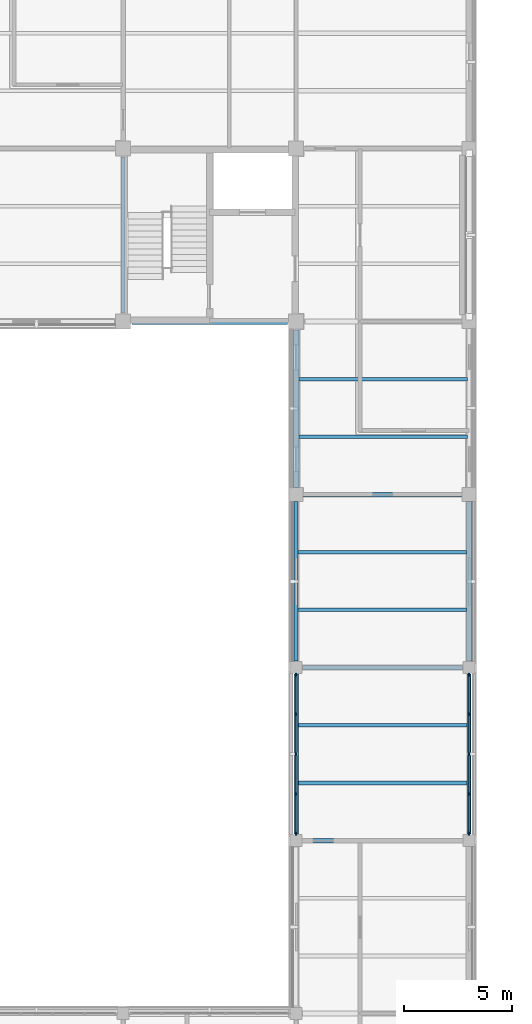
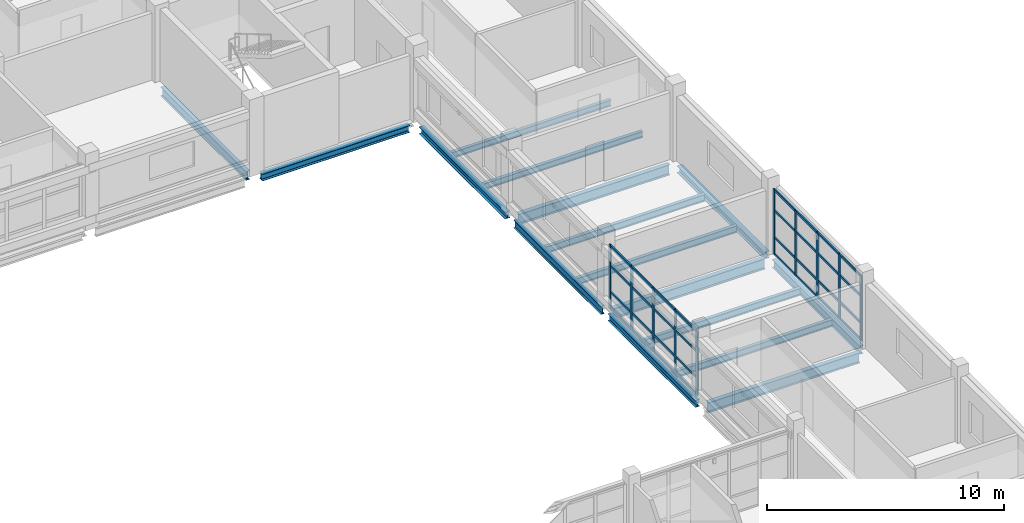
# One storey, part 50 of 107: 42 members, 16 beams, 2 elements without a shape of their own.
"""IFC4 building model written with IfcOpenShell, lengths in metres."""

from ifc_helpers import new_model, si_unit, derived_unit, direction, frame, origin, origin_2d, place, context, subcontext, project, spatial, rectangle, i_section, extrude, material, layer, layer_set, material_profile, profile_set, type_object, element, aggregate, save


model = new_model("IFC4")

# Units and contexts
model_context = context("Model", 3, precision=1e-05, world=origin(), true_north=direction((0.0, 1.0)))
body_context = subcontext(model_context, "Body", "Model", "MODEL_VIEW")
ifc_project = project(units=[si_unit("LENGTHUNIT", "METRE"), si_unit("AREAUNIT", "SQUARE_METRE"), si_unit("VOLUMEUNIT", "CUBIC_METRE"), si_unit("PLANEANGLEUNIT", "RADIAN"), si_unit("MASSUNIT", "GRAM", prefix="KILO"), derived_unit("THERMALTRANSMITTANCEUNIT", [(si_unit("MASSUNIT", "GRAM", prefix="KILO"), 1), (si_unit("TIMEUNIT", "SECOND"), -3), (si_unit("THERMODYNAMICTEMPERATUREUNIT", "KELVIN"), -1)])], contexts=[model_context])

# Site, building, storey
site_placement = place(None, origin())
site = spatial("IfcSite", under=ifc_project, at=site_placement, CompositionType="ELEMENT")
building_placement = place(site_placement, origin())
building = spatial("IfcBuilding", under=site, at=building_placement, Name="Veyamyaing Civic Hall", CompositionType="ELEMENT")
storey_placement = place(building_placement, frame((0.0, 0.0, 13.860107421875)))
storey = spatial("IfcBuildingStorey", under=building, at=storey_placement, Name="L03", CompositionType="ELEMENT", Elevation=13.860107421875)

# Beams
ifc_material_1 = material(Name="Steel ASTM A992", Category="steel")
ifc_material_profile_1 = material_profile(ifc_material_1, i_section(OverallWidth=0.208984375, OverallDepth=0.532958984375, WebThickness=0.01025390625, FlangeThickness=0.015625, FilletRadius=0.011962890625, at=origin_2d()), Name="W530X92")
ifc_profile_set_1 = profile_set([ifc_material_profile_1], Name="Steel ASTM A992")
beam_type_1 = type_object("IfcBeamType", Name="B-07", PredefinedType="BEAM", material=ifc_profile_set_1)
beam_1_placement = place(storey_placement, frame((168.300048828125, 64.0, -0.521728515625), z_axis=(1.0, 0.0, 0.0), x_axis=(0.0, 1.0, 0.0)))
element("IfcBeam", 1, at=beam_1_placement, inside=storey, type_object=beam_type_1, Name="Girder B-07 L03 Grid J 22-23", PredefinedType="BEAM", context=body_context, shape_type="SweptSolid", body=[
    extrude(i_section(OverallWidth=0.208984375, OverallDepth=0.532958984375, WebThickness=0.01025390625, FlangeThickness=0.015625, FilletRadius=0.011962890625, at=origin_2d()), origin(), (0.0, 0.0, 1.0), 7.39990234375),
])
ifc_material_profile_2 = material_profile(ifc_material_1, i_section(OverallWidth=0.2041015625, OverallDepth=0.35009765625, WebThickness=0.0078125, FlangeThickness=0.01513671875, FilletRadius=0.010009765625, at=origin_2d()), Name="W360X72")
ifc_profile_set_2 = profile_set([ifc_material_profile_2], Name="Steel ASTM A992")
beam_type_2 = type_object("IfcBeamType", Name="B-11", PredefinedType="SPANDREL", material=ifc_profile_set_2)
beam_2_placement = place(storey_placement, frame((168.0, 64.300048828125, -0.43017578125), z_axis=(0.0, 1.0, 0.0), x_axis=(-1.0, 0.0, 0.0)))
element("IfcBeam", 2, at=beam_2_placement, inside=storey, type_object=beam_type_2, Name="Girder B-11 L03 Grid 22 J-K", PredefinedType="SPANDREL", context=body_context, shape_type="SweptSolid", body=[
    extrude(i_section(OverallWidth=0.2041015625, OverallDepth=0.35009765625, WebThickness=0.0078125, FlangeThickness=0.01513671875, FilletRadius=0.010009765625, at=origin_2d()), origin(), (0.0, 0.0, 1.0), 7.39990234375),
])
ifc_material_profile_3 = material_profile(ifc_material_1, i_section(OverallWidth=0.214111328125, OverallDepth=0.549072265625, WebThickness=0.0146484375, FlangeThickness=0.023681640625, FilletRadius=0.011962890625, at=origin_2d()), Name="W530X138")
ifc_profile_set_3 = profile_set([ifc_material_profile_3], Name="Steel ASTM A992")
beam_type_3 = type_object("IfcBeamType", Name="B-16", PredefinedType="BEAM", material=ifc_profile_set_3)
beam_3_placement = place(storey_placement, frame((168.300048828125, 72.0, -0.529541015625), z_axis=(1.0, 0.0, 0.0), x_axis=(0.0, 1.0, 0.0)))
element("IfcBeam", 3, at=beam_3_placement, inside=storey, type_object=beam_type_3, Name="Girder B-16 L03 Grid K 22-23", PredefinedType="BEAM", context=body_context, shape_type="SweptSolid", body=[
    extrude(i_section(OverallWidth=0.214111328125, OverallDepth=0.549072265625, WebThickness=0.0146484375, FlangeThickness=0.023681640625, FilletRadius=0.011962890625, at=origin_2d()), origin(), (0.0, 0.0, 1.0), 7.39990234375),
])
ifc_material_profile_4 = material_profile(ifc_material_1, i_section(OverallWidth=0.2109375, OverallDepth=0.5390625, WebThickness=0.01171875, FlangeThickness=0.018798828125, FilletRadius=0.011962890625, at=origin_2d()), Name="W530X109")
ifc_profile_set_4 = profile_set([ifc_material_profile_4], Name="Steel ASTM A992")
beam_type_4 = type_object("IfcBeamType", Name="B-17", PredefinedType="BEAM", material=ifc_profile_set_4)
beam_4_placement = place(storey_placement, frame((168.324951171875, 80.0, -0.524658203125), z_axis=(1.0, 0.0, 0.0), x_axis=(0.0, 1.0, 0.0)))
element("IfcBeam", 4, at=beam_4_placement, inside=storey, type_object=beam_type_4, Name="Girder B-17 L03 Grid L 22-23", PredefinedType="BEAM", context=body_context, shape_type="SweptSolid", body=[
    extrude(i_section(OverallWidth=0.2109375, OverallDepth=0.5390625, WebThickness=0.01171875, FlangeThickness=0.018798828125, FilletRadius=0.011962890625, at=origin_2d()), origin(), (0.0, 0.0, 1.0), 7.35009765625),
])
ifc_material_profile_5 = material_profile(ifc_material_1, i_section(OverallWidth=0.194091796875, OverallDepth=0.468994140625, WebThickness=0.0126953125, FlangeThickness=0.0205078125, FilletRadius=0.010009765625, at=origin_2d()), Name="W460X106")
ifc_profile_set_5 = profile_set([ifc_material_profile_5], Name="Steel ASTM A992")
beam_type_5 = type_object("IfcBeamType", Name="B-18", PredefinedType="BEAM", material=ifc_profile_set_5)
beam_5_placement = place(storey_placement, frame((160.0, 88.39990234375, -0.489501953125), z_axis=(0.0, 1.0, 0.0), x_axis=(-1.0, 0.0, 0.0)))
element("IfcBeam", 5, at=beam_5_placement, inside=storey, type_object=beam_type_5, Name="Girder B-18 L03 Grid 21 M-N", PredefinedType="BEAM", context=body_context, shape_type="SweptSolid", body=[
    extrude(i_section(OverallWidth=0.194091796875, OverallDepth=0.468994140625, WebThickness=0.0126953125, FlangeThickness=0.0205078125, FilletRadius=0.010009765625, at=origin_2d()), origin(), (0.0, 0.0, 1.0), 7.2001953125),
])
ifc_material_profile_6 = material_profile(ifc_material_1, i_section(OverallWidth=0.180908203125, OverallDepth=0.4169921875, WebThickness=0.010986328125, FlangeThickness=0.018310546875, FilletRadius=0.010009765625, at=origin_2d()), Name="W410X85")
ifc_profile_set_6 = profile_set([ifc_material_profile_6], Name="Steel ASTM A992")
beam_type_6 = type_object("IfcBeamType", Name="B-19", PredefinedType="SPANDREL", material=ifc_profile_set_6)
beam_6_placement = place(storey_placement, frame((168.0, 72.300048828125, -0.463623046875), z_axis=(0.0, 1.0, 0.0), x_axis=(-1.0, 0.0, 0.0)))
element("IfcBeam", 6, at=beam_6_placement, inside=storey, type_object=beam_type_6, Name="Girder B-19 L03 Grid 22 K-L", PredefinedType="SPANDREL", context=body_context, shape_type="SweptSolid", body=[
    extrude(i_section(OverallWidth=0.180908203125, OverallDepth=0.4169921875, WebThickness=0.010986328125, FlangeThickness=0.018310546875, FilletRadius=0.010009765625, at=origin_2d()), origin(), (0.0, 0.0, 1.0), 7.375),
])
beam_7_placement = place(storey_placement, frame((176.0, 64.300048828125, -0.463623046875), z_axis=(0.0, 1.0, 0.0), x_axis=(-1.0, 0.0, 0.0)))
element("IfcBeam", 7, at=beam_7_placement, inside=storey, type_object=beam_type_6, Name="Girder B-19 L03 Grid 23 J-K", PredefinedType="SPANDREL", context=body_context, shape_type="SweptSolid", body=[
    extrude(i_section(OverallWidth=0.180908203125, OverallDepth=0.4169921875, WebThickness=0.010986328125, FlangeThickness=0.018310546875, FilletRadius=0.010009765625, at=origin_2d()), origin(), (0.0, 0.0, 1.0), 7.39990234375),
])
ifc_material_profile_7 = material_profile(ifc_material_1, i_section(OverallWidth=0.25390625, OverallDepth=0.35302734375, WebThickness=0.009521484375, FlangeThickness=0.016357421875, FilletRadius=0.011962890625, at=origin_2d()), Name="W360X91")
ifc_profile_set_7 = profile_set([ifc_material_profile_7], Name="Steel ASTM A992")
beam_type_7 = type_object("IfcBeamType", Name="B-20", PredefinedType="SPANDREL", material=ifc_profile_set_7)
beam_8_placement = place(storey_placement, frame((160.39990234375, 88.0, -0.431640625), z_axis=(1.0, 0.0, 0.0), x_axis=(0.0, 1.0, 0.0)))
element("IfcBeam", 8, at=beam_8_placement, inside=storey, type_object=beam_type_7, Name="Girder B-20 L03 Grid M 21-22", PredefinedType="SPANDREL", context=body_context, shape_type="SweptSolid", body=[
    extrude(i_section(OverallWidth=0.25390625, OverallDepth=0.35302734375, WebThickness=0.009521484375, FlangeThickness=0.016357421875, FilletRadius=0.011962890625, at=origin_2d()), origin(), (0.0, 0.0, 1.0), 7.2001953125),
])
beam_9_placement = place(storey_placement, frame((168.0, 80.324951171875, -0.431640625), z_axis=(0.0, 1.0, 0.0), x_axis=(-1.0, 0.0, 0.0)))
element("IfcBeam", 9, at=beam_9_placement, inside=storey, type_object=beam_type_7, Name="Girder B-20 L03 Grid 22 L-M", PredefinedType="SPANDREL", context=body_context, shape_type="SweptSolid", body=[
    extrude(i_section(OverallWidth=0.25390625, OverallDepth=0.35302734375, WebThickness=0.009521484375, FlangeThickness=0.016357421875, FilletRadius=0.011962890625, at=origin_2d()), origin(), (0.0, 0.0, 1.0), 7.275146484375),
])
beam_10_placement = place(storey_placement, frame((176.0, 72.300048828125, -0.431640625), z_axis=(0.0, 1.0, 0.0), x_axis=(-1.0, 0.0, 0.0)))
element("IfcBeam", 10, at=beam_10_placement, inside=storey, type_object=beam_type_7, Name="Girder B-20 L03 Grid 23 K-L", PredefinedType="SPANDREL", context=body_context, shape_type="SweptSolid", body=[
    extrude(i_section(OverallWidth=0.25390625, OverallDepth=0.35302734375, WebThickness=0.009521484375, FlangeThickness=0.016357421875, FilletRadius=0.011962890625, at=origin_2d()), origin(), (0.0, 0.0, 1.0), 7.375),
])

# Curtain wall, members
ifc_material_2 = material(Name="Anodised aluminium 6063-T6", Category="aluminium")
ifc_layer = layer(ifc_material_2, 0.159912109375, Name="Anodised aluminium 6063-T6")
ifc_layer_set = layer_set([ifc_layer], Name="Anodised aluminium 6063-T6")
curtain_wall_type = type_object("IfcCurtainWallType", Name="CW-07", PredefinedType="NOTDEFINED", material=ifc_layer_set)
curtain_wall_1_placement = place(storey_placement, origin())
curtain_wall_1 = element("IfcCurtainWall", 11, at=curtain_wall_1_placement, inside=storey, type_object=curtain_wall_type, Name="Unitized curtain wall CW-07 L03 W 22.9", PredefinedType="NOTDEFINED")
ifc_material_profile_8 = material_profile(ifc_material_2, rectangle(XDim=0.06494140625, YDim=0.159912109375, at=origin_2d()), Name="ALU-MUL-65X160")
ifc_profile_set_8 = profile_set([ifc_material_profile_8], Name="Anodised aluminium 6063-T6")
member_type_1 = type_object("IfcMemberType", Name="CWM-01", PredefinedType="MULLION", material=ifc_profile_set_8)
member_1_placement = place(storey_placement, frame((168.0, 64.33740234375, 0.0), z_axis=(0.0, 0.0, 1.0), x_axis=(-1.0, 0.0, 0.0)))
member_1 = element("IfcMember", 12, at=member_1_placement, type_object=member_type_1, Name="CW-07 mullion 1", PredefinedType="MULLION", context=body_context, shape_type="SweptSolid", body=[
    extrude(rectangle(XDim=0.06494140625, YDim=0.159912109375, at=origin_2d()), origin(), (0.0, 0.0, 1.0), 3.2998046875),
])
member_2_placement = place(storey_placement, frame((168.0, 66.152587890625, 0.0), z_axis=(0.0, 0.0, 1.0), x_axis=(-1.0, 0.0, 0.0)))
member_2 = element("IfcMember", 13, at=member_2_placement, type_object=member_type_1, Name="CW-07 mullion 2", PredefinedType="MULLION", context=body_context, shape_type="SweptSolid", body=[
    extrude(rectangle(XDim=0.06494140625, YDim=0.159912109375, at=origin_2d()), origin(), (0.0, 0.0, 1.0), 3.2998046875),
])
member_3_placement = place(storey_placement, frame((168.0, 68.0, 0.0), z_axis=(0.0, 0.0, 1.0), x_axis=(-1.0, 0.0, 0.0)))
member_3 = element("IfcMember", 14, at=member_3_placement, type_object=member_type_1, Name="CW-07 mullion 3", PredefinedType="MULLION", context=body_context, shape_type="SweptSolid", body=[
    extrude(rectangle(XDim=0.06494140625, YDim=0.159912109375, at=origin_2d()), origin(), (0.0, 0.0, 1.0), 3.2998046875),
])
member_4_placement = place(storey_placement, frame((168.0, 69.847412109375, 0.0), z_axis=(0.0, 0.0, 1.0), x_axis=(-1.0, 0.0, 0.0)))
member_4 = element("IfcMember", 15, at=member_4_placement, type_object=member_type_1, Name="CW-07 mullion 4", PredefinedType="MULLION", context=body_context, shape_type="SweptSolid", body=[
    extrude(rectangle(XDim=0.06494140625, YDim=0.159912109375, at=origin_2d()), origin(), (0.0, 0.0, 1.0), 3.2998046875),
])
member_5_placement = place(storey_placement, frame((168.0, 71.66259765625, 0.0), z_axis=(0.0, 0.0, 1.0), x_axis=(-1.0, 0.0, 0.0)))
member_5 = element("IfcMember", 16, at=member_5_placement, type_object=member_type_1, Name="CW-07 mullion 5", PredefinedType="MULLION", context=body_context, shape_type="SweptSolid", body=[
    extrude(rectangle(XDim=0.06494140625, YDim=0.159912109375, at=origin_2d()), origin(), (0.0, 0.0, 1.0), 3.2998046875),
])

curtain_wall_2_placement = place(storey_placement, origin())
curtain_wall_2 = element("IfcCurtainWall", 17, at=curtain_wall_2_placement, inside=storey, type_object=curtain_wall_type, Name="Unitized curtain wall CW-07 L03 E 22.9", PredefinedType="NOTDEFINED")
member_6_placement = place(storey_placement, frame((176.0, 64.33740234375, 0.0), z_axis=(0.0, 0.0, 1.0), x_axis=(-1.0, 0.0, 0.0)))
member_6 = element("IfcMember", 18, at=member_6_placement, type_object=member_type_1, Name="CW-07 mullion 1", PredefinedType="MULLION", context=body_context, shape_type="SweptSolid", body=[
    extrude(rectangle(XDim=0.06494140625, YDim=0.159912109375, at=origin_2d()), origin(), (0.0, 0.0, 1.0), 3.364013671875),
])
member_7_placement = place(storey_placement, frame((176.0, 66.152587890625, 0.0), z_axis=(0.0, 0.0, 1.0), x_axis=(-1.0, 0.0, 0.0)))
member_7 = element("IfcMember", 19, at=member_7_placement, type_object=member_type_1, Name="CW-07 mullion 2", PredefinedType="MULLION", context=body_context, shape_type="SweptSolid", body=[
    extrude(rectangle(XDim=0.06494140625, YDim=0.159912109375, at=origin_2d()), origin(), (0.0, 0.0, 1.0), 3.364013671875),
])
member_8_placement = place(storey_placement, frame((176.0, 68.0, 0.0), z_axis=(0.0, 0.0, 1.0), x_axis=(-1.0, 0.0, 0.0)))
member_8 = element("IfcMember", 20, at=member_8_placement, type_object=member_type_1, Name="CW-07 mullion 3", PredefinedType="MULLION", context=body_context, shape_type="SweptSolid", body=[
    extrude(rectangle(XDim=0.06494140625, YDim=0.159912109375, at=origin_2d()), origin(), (0.0, 0.0, 1.0), 3.364013671875),
])
member_9_placement = place(storey_placement, frame((176.0, 69.847412109375, 0.0), z_axis=(0.0, 0.0, 1.0), x_axis=(-1.0, 0.0, 0.0)))
member_9 = element("IfcMember", 21, at=member_9_placement, type_object=member_type_1, Name="CW-07 mullion 4", PredefinedType="MULLION", context=body_context, shape_type="SweptSolid", body=[
    extrude(rectangle(XDim=0.06494140625, YDim=0.159912109375, at=origin_2d()), origin(), (0.0, 0.0, 1.0), 3.364013671875),
])
member_10_placement = place(storey_placement, frame((176.0, 71.66259765625, 0.0), z_axis=(0.0, 0.0, 1.0), x_axis=(-1.0, 0.0, 0.0)))
member_10 = element("IfcMember", 22, at=member_10_placement, type_object=member_type_1, Name="CW-07 mullion 5", PredefinedType="MULLION", context=body_context, shape_type="SweptSolid", body=[
    extrude(rectangle(XDim=0.06494140625, YDim=0.159912109375, at=origin_2d()), origin(), (0.0, 0.0, 1.0), 3.364013671875),
])

# Member
ifc_material_profile_9 = material_profile(ifc_material_2, rectangle(XDim=0.06494140625, YDim=0.1201171875, at=origin_2d()), Name="ALU-TRN-65X120")
ifc_profile_set_9 = profile_set([ifc_material_profile_9], Name="Anodised aluminium 6063-T6")
member_type_2 = type_object("IfcMemberType", Name="CWT-01", PredefinedType="USERDEFINED", material=ifc_profile_set_9)
member_11_placement = place(storey_placement, frame((168.0, 64.3701171875, 0.032470703125), z_axis=(0.0, 1.0, 0.0), x_axis=(-1.0, 0.0, 0.0)))
member_11 = element("IfcMember", 23, at=member_11_placement, type_object=member_type_2, Name="CW-07 transom 1.1", ObjectType="TRANSOM", PredefinedType="USERDEFINED", context=body_context, shape_type="SweptSolid", body=[
    extrude(rectangle(XDim=0.06494140625, YDim=0.1201171875, at=origin_2d()), origin(), (0.0, 0.0, 1.0), 1.75),
])

member_12_placement = place(storey_placement, frame((168.0, 64.3701171875, 0.89990234375), z_axis=(0.0, 1.0, 0.0), x_axis=(-1.0, 0.0, 0.0)))
member_12 = element("IfcMember", 24, at=member_12_placement, type_object=member_type_2, Name="CW-07 transom 1.2", ObjectType="TRANSOM", PredefinedType="USERDEFINED", context=body_context, shape_type="SweptSolid", body=[
    extrude(rectangle(XDim=0.06494140625, YDim=0.1201171875, at=origin_2d()), origin(), (0.0, 0.0, 1.0), 1.75),
])

member_13_placement = place(storey_placement, frame((168.0, 64.3701171875, 2.243896484375), z_axis=(0.0, 1.0, 0.0), x_axis=(-1.0, 0.0, 0.0)))
member_13 = element("IfcMember", 25, at=member_13_placement, type_object=member_type_2, Name="CW-07 transom 1.3", ObjectType="TRANSOM", PredefinedType="USERDEFINED", context=body_context, shape_type="SweptSolid", body=[
    extrude(rectangle(XDim=0.06494140625, YDim=0.1201171875, at=origin_2d()), origin(), (0.0, 0.0, 1.0), 1.75),
])

member_14_placement = place(storey_placement, frame((168.0, 64.3701171875, 3.267333984375), z_axis=(0.0, 1.0, 0.0), x_axis=(-1.0, 0.0, 0.0)))
member_14 = element("IfcMember", 26, at=member_14_placement, type_object=member_type_2, Name="CW-07 transom 1.4", ObjectType="TRANSOM", PredefinedType="USERDEFINED", context=body_context, shape_type="SweptSolid", body=[
    extrude(rectangle(XDim=0.06494140625, YDim=0.1201171875, at=origin_2d()), origin(), (0.0, 0.0, 1.0), 1.75),
])

member_15_placement = place(storey_placement, frame((168.0, 66.18505859375, 0.032470703125), z_axis=(0.0, 1.0, 0.0), x_axis=(-1.0, 0.0, 0.0)))
member_15 = element("IfcMember", 27, at=member_15_placement, type_object=member_type_2, Name="CW-07 transom 2.1", ObjectType="TRANSOM", PredefinedType="USERDEFINED", context=body_context, shape_type="SweptSolid", body=[
    extrude(rectangle(XDim=0.06494140625, YDim=0.1201171875, at=origin_2d()), origin(), (0.0, 0.0, 1.0), 1.782470703125),
])

member_16_placement = place(storey_placement, frame((168.0, 66.18505859375, 0.89990234375), z_axis=(0.0, 1.0, 0.0), x_axis=(-1.0, 0.0, 0.0)))
member_16 = element("IfcMember", 28, at=member_16_placement, type_object=member_type_2, Name="CW-07 transom 2.2", ObjectType="TRANSOM", PredefinedType="USERDEFINED", context=body_context, shape_type="SweptSolid", body=[
    extrude(rectangle(XDim=0.06494140625, YDim=0.1201171875, at=origin_2d()), origin(), (0.0, 0.0, 1.0), 1.782470703125),
])

member_17_placement = place(storey_placement, frame((168.0, 66.18505859375, 2.243896484375), z_axis=(0.0, 1.0, 0.0), x_axis=(-1.0, 0.0, 0.0)))
member_17 = element("IfcMember", 29, at=member_17_placement, type_object=member_type_2, Name="CW-07 transom 2.3", ObjectType="TRANSOM", PredefinedType="USERDEFINED", context=body_context, shape_type="SweptSolid", body=[
    extrude(rectangle(XDim=0.06494140625, YDim=0.1201171875, at=origin_2d()), origin(), (0.0, 0.0, 1.0), 1.782470703125),
])

member_18_placement = place(storey_placement, frame((168.0, 66.18505859375, 3.267333984375), z_axis=(0.0, 1.0, 0.0), x_axis=(-1.0, 0.0, 0.0)))
member_18 = element("IfcMember", 30, at=member_18_placement, type_object=member_type_2, Name="CW-07 transom 2.4", ObjectType="TRANSOM", PredefinedType="USERDEFINED", context=body_context, shape_type="SweptSolid", body=[
    extrude(rectangle(XDim=0.06494140625, YDim=0.1201171875, at=origin_2d()), origin(), (0.0, 0.0, 1.0), 1.782470703125),
])

member_19_placement = place(storey_placement, frame((168.0, 68.032470703125, 0.032470703125), z_axis=(0.0, 1.0, 0.0), x_axis=(-1.0, 0.0, 0.0)))
member_19 = element("IfcMember", 31, at=member_19_placement, type_object=member_type_2, Name="CW-07 transom 3.1", ObjectType="TRANSOM", PredefinedType="USERDEFINED", context=body_context, shape_type="SweptSolid", body=[
    extrude(rectangle(XDim=0.06494140625, YDim=0.1201171875, at=origin_2d()), origin(), (0.0, 0.0, 1.0), 1.782470703125),
])

member_20_placement = place(storey_placement, frame((168.0, 68.032470703125, 0.89990234375), z_axis=(0.0, 1.0, 0.0), x_axis=(-1.0, 0.0, 0.0)))
member_20 = element("IfcMember", 32, at=member_20_placement, type_object=member_type_2, Name="CW-07 transom 3.2", ObjectType="TRANSOM", PredefinedType="USERDEFINED", context=body_context, shape_type="SweptSolid", body=[
    extrude(rectangle(XDim=0.06494140625, YDim=0.1201171875, at=origin_2d()), origin(), (0.0, 0.0, 1.0), 1.782470703125),
])

member_21_placement = place(storey_placement, frame((168.0, 68.032470703125, 2.243896484375), z_axis=(0.0, 1.0, 0.0), x_axis=(-1.0, 0.0, 0.0)))
member_21 = element("IfcMember", 33, at=member_21_placement, type_object=member_type_2, Name="CW-07 transom 3.3", ObjectType="TRANSOM", PredefinedType="USERDEFINED", context=body_context, shape_type="SweptSolid", body=[
    extrude(rectangle(XDim=0.06494140625, YDim=0.1201171875, at=origin_2d()), origin(), (0.0, 0.0, 1.0), 1.782470703125),
])

member_22_placement = place(storey_placement, frame((168.0, 68.032470703125, 3.267333984375), z_axis=(0.0, 1.0, 0.0), x_axis=(-1.0, 0.0, 0.0)))
member_22 = element("IfcMember", 34, at=member_22_placement, type_object=member_type_2, Name="CW-07 transom 3.4", ObjectType="TRANSOM", PredefinedType="USERDEFINED", context=body_context, shape_type="SweptSolid", body=[
    extrude(rectangle(XDim=0.06494140625, YDim=0.1201171875, at=origin_2d()), origin(), (0.0, 0.0, 1.0), 1.782470703125),
])

member_23_placement = place(storey_placement, frame((168.0, 69.8798828125, 0.032470703125), z_axis=(0.0, 1.0, 0.0), x_axis=(-1.0, 0.0, 0.0)))
member_23 = element("IfcMember", 35, at=member_23_placement, type_object=member_type_2, Name="CW-07 transom 4.1", ObjectType="TRANSOM", PredefinedType="USERDEFINED", context=body_context, shape_type="SweptSolid", body=[
    extrude(rectangle(XDim=0.06494140625, YDim=0.1201171875, at=origin_2d()), origin(), (0.0, 0.0, 1.0), 1.75),
])

member_24_placement = place(storey_placement, frame((168.0, 69.8798828125, 0.89990234375), z_axis=(0.0, 1.0, 0.0), x_axis=(-1.0, 0.0, 0.0)))
member_24 = element("IfcMember", 36, at=member_24_placement, type_object=member_type_2, Name="CW-07 transom 4.2", ObjectType="TRANSOM", PredefinedType="USERDEFINED", context=body_context, shape_type="SweptSolid", body=[
    extrude(rectangle(XDim=0.06494140625, YDim=0.1201171875, at=origin_2d()), origin(), (0.0, 0.0, 1.0), 1.75),
])

member_25_placement = place(storey_placement, frame((168.0, 69.8798828125, 2.243896484375), z_axis=(0.0, 1.0, 0.0), x_axis=(-1.0, 0.0, 0.0)))
member_25 = element("IfcMember", 37, at=member_25_placement, type_object=member_type_2, Name="CW-07 transom 4.3", ObjectType="TRANSOM", PredefinedType="USERDEFINED", context=body_context, shape_type="SweptSolid", body=[
    extrude(rectangle(XDim=0.06494140625, YDim=0.1201171875, at=origin_2d()), origin(), (0.0, 0.0, 1.0), 1.75),
])

member_26_placement = place(storey_placement, frame((168.0, 69.8798828125, 3.267333984375), z_axis=(0.0, 1.0, 0.0), x_axis=(-1.0, 0.0, 0.0)))
member_26 = element("IfcMember", 38, at=member_26_placement, type_object=member_type_2, Name="CW-07 transom 4.4", ObjectType="TRANSOM", PredefinedType="USERDEFINED", context=body_context, shape_type="SweptSolid", body=[
    extrude(rectangle(XDim=0.06494140625, YDim=0.1201171875, at=origin_2d()), origin(), (0.0, 0.0, 1.0), 1.75),
])

aggregate(curtain_wall_1, [member_1, member_2, member_3, member_4, member_5, member_11, member_12, member_13, member_14, member_15, member_16, member_17, member_18, member_19, member_20, member_21, member_22, member_23, member_24, member_25, member_26])

member_27_placement = place(storey_placement, frame((176.0, 64.3701171875, 0.032470703125), z_axis=(0.0, 1.0, 0.0), x_axis=(-1.0, 0.0, 0.0)))
member_27 = element("IfcMember", 39, at=member_27_placement, type_object=member_type_2, Name="CW-07 transom 1.1", ObjectType="TRANSOM", PredefinedType="USERDEFINED", context=body_context, shape_type="SweptSolid", body=[
    extrude(rectangle(XDim=0.06494140625, YDim=0.1201171875, at=origin_2d()), origin(), (0.0, 0.0, 1.0), 1.75),
])

member_28_placement = place(storey_placement, frame((176.0, 64.3701171875, 0.89990234375), z_axis=(0.0, 1.0, 0.0), x_axis=(-1.0, 0.0, 0.0)))
member_28 = element("IfcMember", 40, at=member_28_placement, type_object=member_type_2, Name="CW-07 transom 1.2", ObjectType="TRANSOM", PredefinedType="USERDEFINED", context=body_context, shape_type="SweptSolid", body=[
    extrude(rectangle(XDim=0.06494140625, YDim=0.1201171875, at=origin_2d()), origin(), (0.0, 0.0, 1.0), 1.75),
])

member_29_placement = place(storey_placement, frame((176.0, 64.3701171875, 2.287353515625), z_axis=(0.0, 1.0, 0.0), x_axis=(-1.0, 0.0, 0.0)))
member_29 = element("IfcMember", 41, at=member_29_placement, type_object=member_type_2, Name="CW-07 transom 1.3", ObjectType="TRANSOM", PredefinedType="USERDEFINED", context=body_context, shape_type="SweptSolid", body=[
    extrude(rectangle(XDim=0.06494140625, YDim=0.1201171875, at=origin_2d()), origin(), (0.0, 0.0, 1.0), 1.75),
])

member_30_placement = place(storey_placement, frame((176.0, 64.3701171875, 3.331298828125), z_axis=(0.0, 1.0, 0.0), x_axis=(-1.0, 0.0, 0.0)))
member_30 = element("IfcMember", 42, at=member_30_placement, type_object=member_type_2, Name="CW-07 transom 1.4", ObjectType="TRANSOM", PredefinedType="USERDEFINED", context=body_context, shape_type="SweptSolid", body=[
    extrude(rectangle(XDim=0.06494140625, YDim=0.1201171875, at=origin_2d()), origin(), (0.0, 0.0, 1.0), 1.75),
])

member_31_placement = place(storey_placement, frame((176.0, 66.18505859375, 0.032470703125), z_axis=(0.0, 1.0, 0.0), x_axis=(-1.0, 0.0, 0.0)))
member_31 = element("IfcMember", 43, at=member_31_placement, type_object=member_type_2, Name="CW-07 transom 2.1", ObjectType="TRANSOM", PredefinedType="USERDEFINED", context=body_context, shape_type="SweptSolid", body=[
    extrude(rectangle(XDim=0.06494140625, YDim=0.1201171875, at=origin_2d()), origin(), (0.0, 0.0, 1.0), 1.782470703125),
])

member_32_placement = place(storey_placement, frame((176.0, 66.18505859375, 0.89990234375), z_axis=(0.0, 1.0, 0.0), x_axis=(-1.0, 0.0, 0.0)))
member_32 = element("IfcMember", 44, at=member_32_placement, type_object=member_type_2, Name="CW-07 transom 2.2", ObjectType="TRANSOM", PredefinedType="USERDEFINED", context=body_context, shape_type="SweptSolid", body=[
    extrude(rectangle(XDim=0.06494140625, YDim=0.1201171875, at=origin_2d()), origin(), (0.0, 0.0, 1.0), 1.782470703125),
])

member_33_placement = place(storey_placement, frame((176.0, 66.18505859375, 2.287353515625), z_axis=(0.0, 1.0, 0.0), x_axis=(-1.0, 0.0, 0.0)))
member_33 = element("IfcMember", 45, at=member_33_placement, type_object=member_type_2, Name="CW-07 transom 2.3", ObjectType="TRANSOM", PredefinedType="USERDEFINED", context=body_context, shape_type="SweptSolid", body=[
    extrude(rectangle(XDim=0.06494140625, YDim=0.1201171875, at=origin_2d()), origin(), (0.0, 0.0, 1.0), 1.782470703125),
])

member_34_placement = place(storey_placement, frame((176.0, 66.18505859375, 3.331298828125), z_axis=(0.0, 1.0, 0.0), x_axis=(-1.0, 0.0, 0.0)))
member_34 = element("IfcMember", 46, at=member_34_placement, type_object=member_type_2, Name="CW-07 transom 2.4", ObjectType="TRANSOM", PredefinedType="USERDEFINED", context=body_context, shape_type="SweptSolid", body=[
    extrude(rectangle(XDim=0.06494140625, YDim=0.1201171875, at=origin_2d()), origin(), (0.0, 0.0, 1.0), 1.782470703125),
])

member_35_placement = place(storey_placement, frame((176.0, 68.032470703125, 0.032470703125), z_axis=(0.0, 1.0, 0.0), x_axis=(-1.0, 0.0, 0.0)))
member_35 = element("IfcMember", 47, at=member_35_placement, type_object=member_type_2, Name="CW-07 transom 3.1", ObjectType="TRANSOM", PredefinedType="USERDEFINED", context=body_context, shape_type="SweptSolid", body=[
    extrude(rectangle(XDim=0.06494140625, YDim=0.1201171875, at=origin_2d()), origin(), (0.0, 0.0, 1.0), 1.782470703125),
])

member_36_placement = place(storey_placement, frame((176.0, 68.032470703125, 0.89990234375), z_axis=(0.0, 1.0, 0.0), x_axis=(-1.0, 0.0, 0.0)))
member_36 = element("IfcMember", 48, at=member_36_placement, type_object=member_type_2, Name="CW-07 transom 3.2", ObjectType="TRANSOM", PredefinedType="USERDEFINED", context=body_context, shape_type="SweptSolid", body=[
    extrude(rectangle(XDim=0.06494140625, YDim=0.1201171875, at=origin_2d()), origin(), (0.0, 0.0, 1.0), 1.782470703125),
])

member_37_placement = place(storey_placement, frame((176.0, 68.032470703125, 2.287353515625), z_axis=(0.0, 1.0, 0.0), x_axis=(-1.0, 0.0, 0.0)))
member_37 = element("IfcMember", 49, at=member_37_placement, type_object=member_type_2, Name="CW-07 transom 3.3", ObjectType="TRANSOM", PredefinedType="USERDEFINED", context=body_context, shape_type="SweptSolid", body=[
    extrude(rectangle(XDim=0.06494140625, YDim=0.1201171875, at=origin_2d()), origin(), (0.0, 0.0, 1.0), 1.782470703125),
])

member_38_placement = place(storey_placement, frame((176.0, 68.032470703125, 3.331298828125), z_axis=(0.0, 1.0, 0.0), x_axis=(-1.0, 0.0, 0.0)))
member_38 = element("IfcMember", 50, at=member_38_placement, type_object=member_type_2, Name="CW-07 transom 3.4", ObjectType="TRANSOM", PredefinedType="USERDEFINED", context=body_context, shape_type="SweptSolid", body=[
    extrude(rectangle(XDim=0.06494140625, YDim=0.1201171875, at=origin_2d()), origin(), (0.0, 0.0, 1.0), 1.782470703125),
])

member_39_placement = place(storey_placement, frame((176.0, 69.8798828125, 0.032470703125), z_axis=(0.0, 1.0, 0.0), x_axis=(-1.0, 0.0, 0.0)))
member_39 = element("IfcMember", 51, at=member_39_placement, type_object=member_type_2, Name="CW-07 transom 4.1", ObjectType="TRANSOM", PredefinedType="USERDEFINED", context=body_context, shape_type="SweptSolid", body=[
    extrude(rectangle(XDim=0.06494140625, YDim=0.1201171875, at=origin_2d()), origin(), (0.0, 0.0, 1.0), 1.75),
])

member_40_placement = place(storey_placement, frame((176.0, 69.8798828125, 0.89990234375), z_axis=(0.0, 1.0, 0.0), x_axis=(-1.0, 0.0, 0.0)))
member_40 = element("IfcMember", 52, at=member_40_placement, type_object=member_type_2, Name="CW-07 transom 4.2", ObjectType="TRANSOM", PredefinedType="USERDEFINED", context=body_context, shape_type="SweptSolid", body=[
    extrude(rectangle(XDim=0.06494140625, YDim=0.1201171875, at=origin_2d()), origin(), (0.0, 0.0, 1.0), 1.75),
])

member_41_placement = place(storey_placement, frame((176.0, 69.8798828125, 2.287353515625), z_axis=(0.0, 1.0, 0.0), x_axis=(-1.0, 0.0, 0.0)))
member_41 = element("IfcMember", 53, at=member_41_placement, type_object=member_type_2, Name="CW-07 transom 4.3", ObjectType="TRANSOM", PredefinedType="USERDEFINED", context=body_context, shape_type="SweptSolid", body=[
    extrude(rectangle(XDim=0.06494140625, YDim=0.1201171875, at=origin_2d()), origin(), (0.0, 0.0, 1.0), 1.75),
])

member_42_placement = place(storey_placement, frame((176.0, 69.8798828125, 3.331298828125), z_axis=(0.0, 1.0, 0.0), x_axis=(-1.0, 0.0, 0.0)))
member_42 = element("IfcMember", 54, at=member_42_placement, type_object=member_type_2, Name="CW-07 transom 4.4", ObjectType="TRANSOM", PredefinedType="USERDEFINED", context=body_context, shape_type="SweptSolid", body=[
    extrude(rectangle(XDim=0.06494140625, YDim=0.1201171875, at=origin_2d()), origin(), (0.0, 0.0, 1.0), 1.75),
])

aggregate(curtain_wall_2, [member_6, member_7, member_8, member_9, member_10, member_27, member_28, member_29, member_30, member_31, member_32, member_33, member_34, member_35, member_36, member_37, member_38, member_39, member_40, member_41, member_42])

# Beams
ifc_material_profile_10 = material_profile(ifc_material_1, i_section(OverallWidth=0.172119140625, OverallDepth=0.35791015625, WebThickness=0.0078125, FlangeThickness=0.01318359375, FilletRadius=0.010009765625, at=origin_2d()), Name="W360X57")
ifc_profile_set_10 = profile_set([ifc_material_profile_10], Name="Steel ASTM A992")
beam_type_8 = type_object("IfcBeamType", Name="J-02", PredefinedType="JOIST", material=ifc_profile_set_10)
for number, where, z_axis, x_axis, name in (
    (55, (168.10009765625, 66.666748046875, -0.43408203125), (1.0, 0.0, 0.0), (0.0, 1.0, 0.0), "Composite floor joist J-02 L03 22.9.1"),
    (56, (168.10009765625, 69.333251953125, -0.43408203125), (1.0, 0.0, 0.0), (0.0, 1.0, 0.0), "Composite floor joist J-02 L03 22.9.2"),
):
    element("IfcBeam", number, at=place(storey_placement, frame(where, z_axis=z_axis, x_axis=x_axis)), inside=storey, type_object=beam_type_8, Name=name, PredefinedType="JOIST", context=body_context, shape_type="SweptSolid", body=[
        extrude(i_section(OverallWidth=0.172119140625, OverallDepth=0.35791015625, WebThickness=0.0078125, FlangeThickness=0.01318359375, FilletRadius=0.010009765625, at=origin_2d()), origin(), (0.0, 0.0, 1.0), 7.8115234375),
    ])
ifc_material_profile_11 = material_profile(ifc_material_1, i_section(OverallWidth=0.1708984375, OverallDepth=0.35205078125, WebThickness=0.0068359375, FlangeThickness=0.009765625, FilletRadius=0.010009765625, at=origin_2d()), Name="W360X44")
ifc_profile_set_11 = profile_set([ifc_material_profile_11], Name="Steel ASTM A992")
beam_type_9 = type_object("IfcBeamType", Name="J-03", PredefinedType="JOIST", material=ifc_profile_set_11)
for number, where, z_axis, x_axis, name in (
    (57, (168.08837890625, 74.666748046875, -0.43115234375), (1.0, 0.0, 0.0), (0.0, 1.0, 0.0), "Composite floor joist J-03 L03 22.10.1"),
    (58, (168.08837890625, 77.333251953125, -0.43115234375), (1.0, 0.0, 0.0), (0.0, 1.0, 0.0), "Composite floor joist J-03 L03 22.10.2"),
):
    element("IfcBeam", number, at=place(storey_placement, frame(where, z_axis=z_axis, x_axis=x_axis)), inside=storey, type_object=beam_type_9, Name=name, PredefinedType="JOIST", context=body_context, shape_type="SweptSolid", body=[
        extrude(i_section(OverallWidth=0.1708984375, OverallDepth=0.35205078125, WebThickness=0.0068359375, FlangeThickness=0.009765625, FilletRadius=0.010009765625, at=origin_2d()), origin(), (0.0, 0.0, 1.0), 7.78662109375),
    ])
ifc_material_profile_12 = material_profile(ifc_material_1, i_section(OverallWidth=0.1669921875, OverallDepth=0.318115234375, WebThickness=0.007568359375, FlangeThickness=0.01318359375, FilletRadius=0.010009765625, at=origin_2d()), Name="W310X52")
ifc_profile_set_12 = profile_set([ifc_material_profile_12], Name="Steel ASTM A992")
beam_type_10 = type_object("IfcBeamType", Name="J-04", PredefinedType="JOIST", material=ifc_profile_set_12)
for number, where, z_axis, x_axis, name in (
    (59, (168.125, 82.666748046875, -0.4140625), (1.0, 0.0, 0.0), (0.0, 1.0, 0.0), "Composite floor joist J-04 L03 22.11.1"),
    (60, (168.125, 85.333251953125, -0.4140625), (1.0, 0.0, 0.0), (0.0, 1.0, 0.0), "Composite floor joist J-04 L03 22.11.2"),
):
    element("IfcBeam", number, at=place(storey_placement, frame(where, z_axis=z_axis, x_axis=x_axis)), inside=storey, type_object=beam_type_10, Name=name, PredefinedType="JOIST", context=body_context, shape_type="SweptSolid", body=[
        extrude(i_section(OverallWidth=0.1669921875, OverallDepth=0.318115234375, WebThickness=0.007568359375, FlangeThickness=0.01318359375, FilletRadius=0.010009765625, at=origin_2d()), origin(), (0.0, 0.0, 1.0), 7.787109375),
    ])

save(model, "model.ifc")
